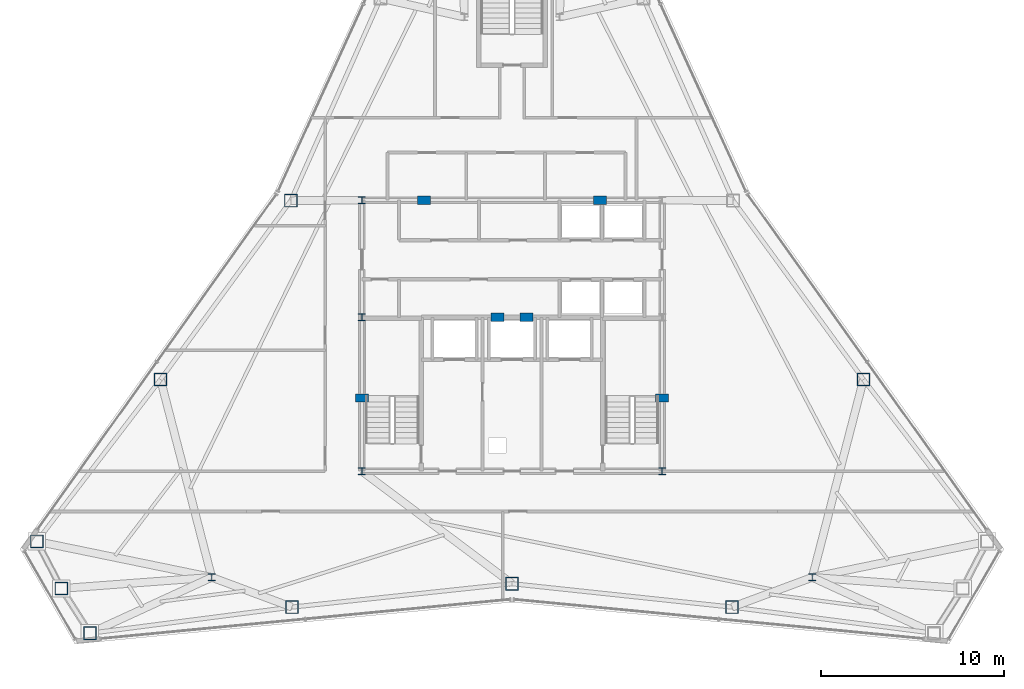
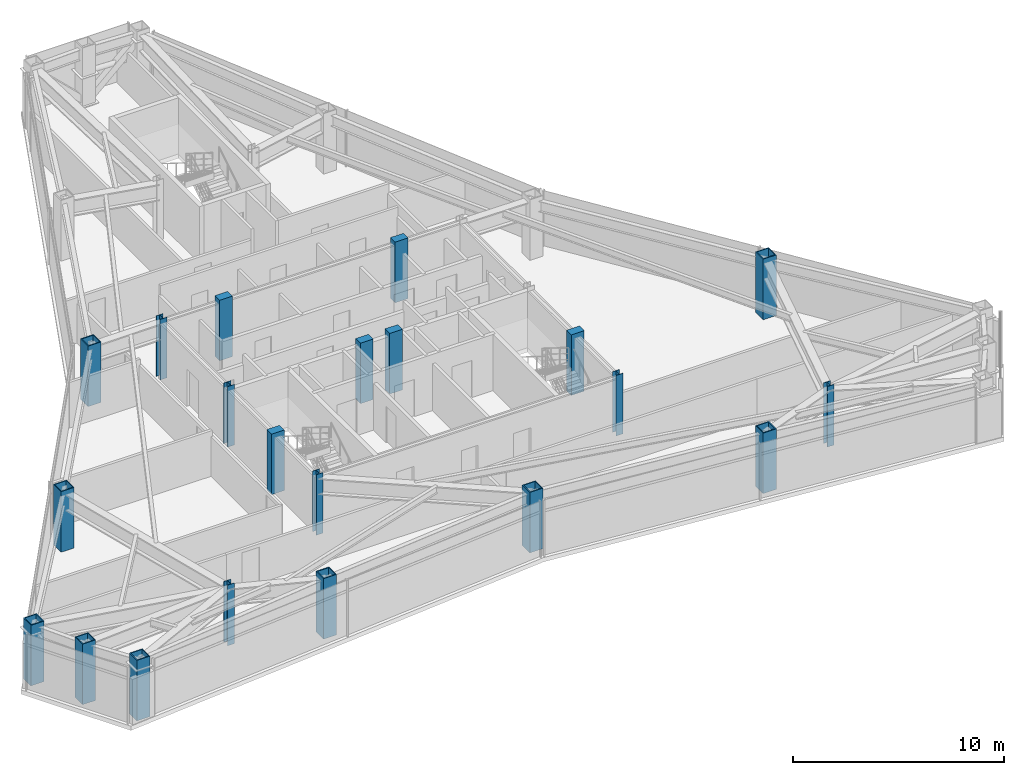
# One storey, part 1 of 12: 21 columns.
"""IFC4 building model written with IfcOpenShell, lengths in metres."""

from ifc_helpers import new_model, si_unit, direction, frame, origin, origin_2d, place, context, subcontext, project, spatial, rectangle, hollow_rectangle, i_section, extrude, material, material_profile, profile_set, type_object, element, save


model = new_model("IFC4")

# Units and contexts
model_context = context("Model", 3, precision=1e-05, world=origin(), true_north=direction((0.0, 1.0)))
body_context = subcontext(model_context, "Body", "Model", "MODEL_VIEW")
ifc_project = project(units=[si_unit("LENGTHUNIT", "METRE"), si_unit("AREAUNIT", "SQUARE_METRE"), si_unit("VOLUMEUNIT", "CUBIC_METRE"), si_unit("PLANEANGLEUNIT", "RADIAN"), si_unit("MASSUNIT", "GRAM", prefix="KILO")], contexts=[model_context])

# Site, building, storey
site_placement = place(None, origin())
site = spatial("IfcSite", under=ifc_project, at=site_placement, CompositionType="ELEMENT")
building_placement = place(site_placement, origin())
building = spatial("IfcBuilding", under=site, at=building_placement, Name="Varakhsha Concourse Tower", CompositionType="ELEMENT")
storey_placement = place(building_placement, frame((0.0, 0.0, 243.39990234375)))
storey = spatial("IfcBuildingStorey", under=building, at=storey_placement, Name="L69", CompositionType="ELEMENT", Elevation=243.39990234375)

# Columns
ifc_material_1 = material(Name="Structural Steel ASTM A992 Grade 50", Category="steel")
ifc_material_profile_1 = material_profile(ifc_material_1, i_section(OverallWidth=0.3740234375, OverallDepth=0.3720703125, WebThickness=0.01611328125, FlangeThickness=0.02587890625, at=origin_2d()), Name="W14X132")
ifc_profile_set_1 = profile_set([ifc_material_profile_1], Name="Structural Steel ASTM A992 Grade 50")
column_type_1 = type_object("IfcColumnType", Name="CL-CORE-W14X132", PredefinedType="COLUMN", material=ifc_profile_set_1)
for number, where, z_axis, x_axis, name in (
    (1, (31.800048828125, 16.39990234375, 0.0), (0.0, 0.0, 1.0), (1.0, 0.0, 0.0), "L69 Core Column CC-SW"),
    (2, (48.199951171875, 16.39990234375, 0.0), (0.0, 0.0, 1.0), (1.0, 0.0, 0.0), "L69 Core Column CC-SE"),
    (3, (31.800048828125, 24.800048828125, 0.0), (0.0, 0.0, 1.0), (1.0, 0.0, 0.0), "L69 Core Column CC-MW"),
    (4, (31.800048828125, 31.199951171875, 0.0), (0.0, 0.0, 1.0), (1.0, 0.0, 0.0), "L69 Core Column CC-NW"),
    (5, (23.60009765625, 10.60009765625, 0.0), (0.0, 0.0, 1.0), (1.0, 0.0, 0.0), "L69 Core Column SS-W"),
    (6, (56.39990234375, 10.60009765625, 0.0), (0.0, 0.0, 1.0), (1.0, 0.0, 0.0), "L69 Core Column SS-E"),
):
    element("IfcColumn", number, at=place(storey_placement, frame(where, z_axis=z_axis, x_axis=x_axis)), inside=storey, type_object=column_type_1, Name=name, PredefinedType="COLUMN", context=body_context, shape_type="SweptSolid", body=[
        extrude(i_section(OverallWidth=0.3740234375, OverallDepth=0.3720703125, WebThickness=0.01611328125, FlangeThickness=0.02587890625, at=origin_2d()), origin(), (0.0, 0.0, 1.0), 3.5),
    ])
ifc_material_2 = material(Name="Concrete fc 65 MPa", Category="concrete")
ifc_material_profile_2 = material_profile(ifc_material_2, rectangle(XDim=0.699951171875, YDim=0.449951171875, at=origin_2d()), Name="RC 700x450")
ifc_profile_set_2 = profile_set([ifc_material_profile_2], Name="Concrete fc 65 MPa")
column_type_2 = type_object("IfcColumnType", Name="CL-PIL-700X450", PredefinedType="PILASTER", material=ifc_profile_set_2)
for number, where, z_axis, x_axis, name in (
    (7, (31.800048828125, 20.39990234375, 0.0), (0.0, 0.0, 1.0), (1.0, 0.0, 0.0), "L69 Core Boundary Pilaster PIL-W1"),
    (8, (48.199951171875, 20.39990234375, 0.0), (0.0, 0.0, 1.0), (1.0, 0.0, 0.0), "L69 Core Boundary Pilaster PIL-E1"),
    (9, (35.199951171875, 31.199951171875, 0.0), (0.0, 0.0, 1.0), (1.0, 0.0, 0.0), "L69 Core Boundary Pilaster PIL-N1"),
    (10, (44.800048828125, 31.199951171875, 0.0), (0.0, 0.0, 1.0), (1.0, 0.0, 0.0), "L69 Core Boundary Pilaster PIL-N2"),
    (11, (39.199951171875, 24.800048828125, 0.0), (0.0, 0.0, 1.0), (1.0, 0.0, 0.0), "L69 Core Boundary Pilaster PIL-M1"),
    (12, (40.800048828125, 24.800048828125, 0.0), (0.0, 0.0, 1.0), (1.0, 0.0, 0.0), "L69 Core Boundary Pilaster PIL-M2"),
):
    element("IfcColumn", number, at=place(storey_placement, frame(where, z_axis=z_axis, x_axis=x_axis)), inside=storey, type_object=column_type_2, Name=name, PredefinedType="PILASTER", context=body_context, shape_type="SweptSolid", body=[
        extrude(rectangle(XDim=0.699951171875, YDim=0.449951171875, at=origin_2d()), origin(), (0.0, 0.0, 1.0), 3.5),
    ])
ifc_material_3 = material(Name="Structural Steel ASTM A572 Grade 50", Category="steel")
ifc_material_profile_3 = material_profile(ifc_material_3, hollow_rectangle(XDim=0.719970703125, YDim=0.719970703125, WallThickness=0.050048828125, at=origin_2d()), Name="BOX 720x720x50")
ifc_profile_set_3 = profile_set([ifc_material_profile_3], Name="Structural Steel ASTM A572 Grade 50")
column_type_3 = type_object("IfcColumnType", Name="CL-TUBE-720", PredefinedType="COLUMN", material=ifc_profile_set_3)
for number, where, z_axis, x_axis, name in (
    (13, (27.9208984375, 31.173828125, 0.0), (0.0, 0.0, 1.0), (1.0, 0.0, 0.0), "L69 Framed-Tube Column TC05"),
    (14, (20.802978515625, 21.404052734375, 0.0), (0.0, 0.0, 1.0), (1.0, 0.0, 0.0), "L69 Framed-Tube Column TC06"),
    (15, (14.05126953125, 12.563720703125, 0.0), (0.0, 0.0, 1.0), (1.0, 0.0, 0.0), "L69 Framed-Tube Column TC07"),
    (16, (15.389892578125, 9.991455078125, 0.0), (0.0, 0.0, 1.0), (1.0, 0.0, 0.0), "L69 Framed-Tube Column TC08"),
    (17, (16.9482421875, 7.5458984375, 0.0), (0.0, 0.0, 1.0), (1.0, 0.0, 0.0), "L69 Framed-Tube Column TC09"),
    (18, (27.97998046875, 8.972900390625, 0.0), (0.0, 0.0, 1.0), (1.0, 0.0, 0.0), "L69 Framed-Tube Column TC10"),
    (19, (40.0, 10.252197265625, 0.0), (0.0, 0.0, 1.0), (1.0, 0.0, 0.0), "L69 Framed-Tube Column TC11"),
    (20, (52.02001953125, 8.972900390625, 0.0), (0.0, 0.0, 1.0), (1.0, 0.0, 0.0), "L69 Framed-Tube Column TC12"),
    (21, (59.197021484375, 21.404052734375, 0.0), (0.0, 0.0, 1.0), (1.0, 0.0, 0.0), "L69 Framed-Tube Column TC16"),
):
    element("IfcColumn", number, at=place(storey_placement, frame(where, z_axis=z_axis, x_axis=x_axis)), inside=storey, type_object=column_type_3, Name=name, PredefinedType="COLUMN", context=body_context, shape_type="SweptSolid", body=[
        extrude(hollow_rectangle(XDim=0.719970703125, YDim=0.719970703125, WallThickness=0.050048828125, at=origin_2d()), origin(), (0.0, 0.0, 1.0), 3.5),
    ])

save(model, "model.ifc")
